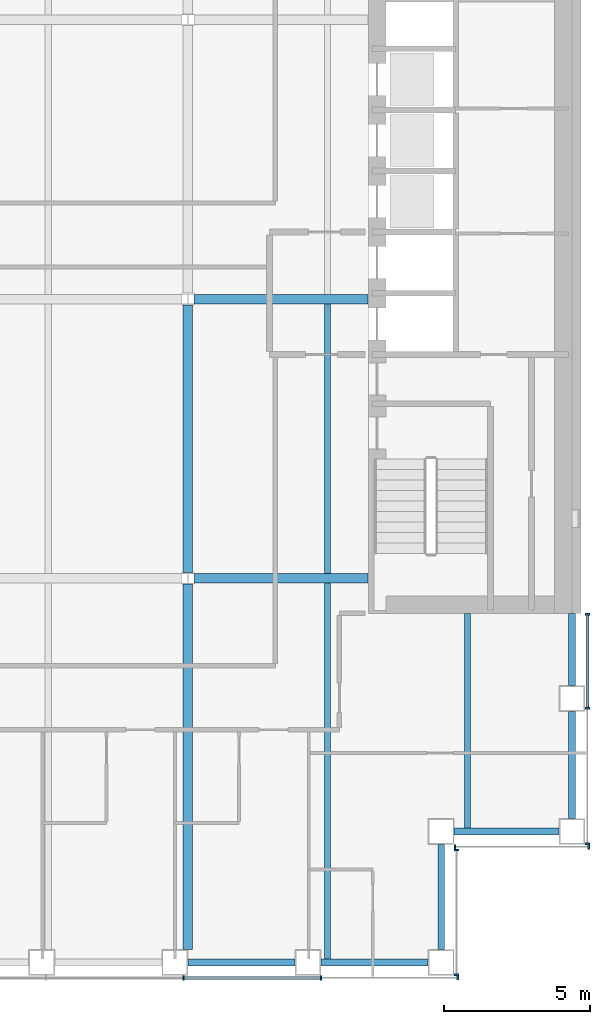
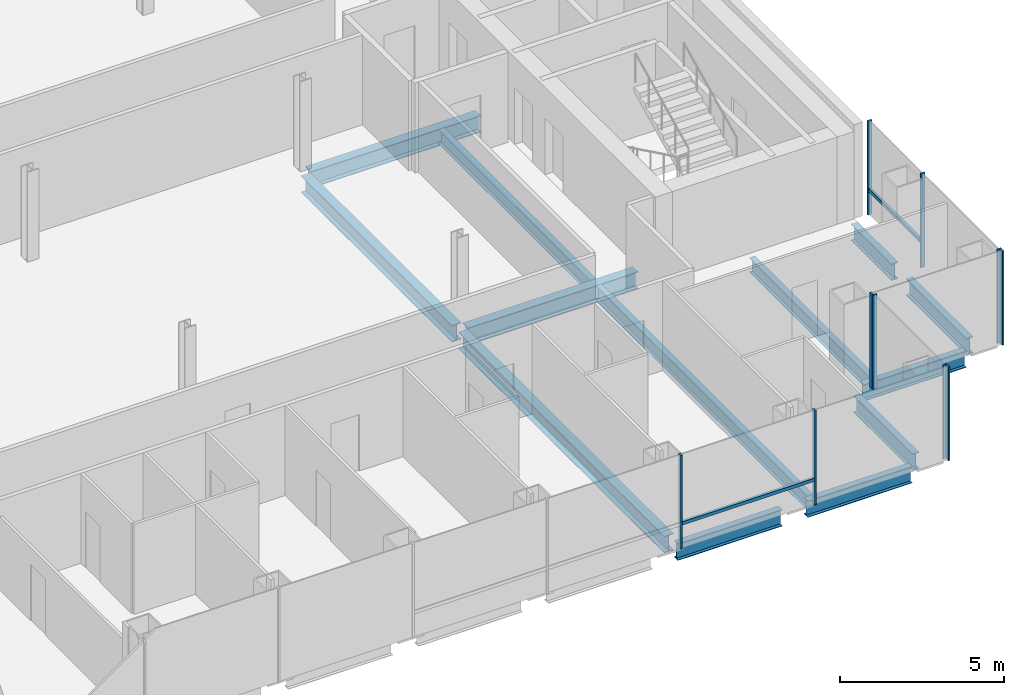
# One storey, part 4 of 15: 13 beams, 12 members, 4 elements without a shape of their own.
"""IFC4 building model written with IfcOpenShell, lengths in metres."""

from ifc_helpers import new_model, si_unit, direction, frame, origin, origin_2d, place, context, subcontext, project, spatial, rectangle, i_section, extrude, material, material_profile, profile_set, type_object, element, aggregate, save


model = new_model("IFC4")

# Units and contexts
model_context = context("Model", 3, precision=1e-05, world=origin(), true_north=direction((0.0, 1.0)))
body_context = subcontext(model_context, "Body", "Model", "MODEL_VIEW")
ifc_project = project(units=[si_unit("LENGTHUNIT", "METRE"), si_unit("AREAUNIT", "SQUARE_METRE"), si_unit("VOLUMEUNIT", "CUBIC_METRE"), si_unit("PLANEANGLEUNIT", "RADIAN"), si_unit("MASSUNIT", "GRAM", prefix="KILO")], contexts=[model_context])

# Site, building, storey
site_placement = place(None, origin())
site = spatial("IfcSite", under=ifc_project, at=site_placement, CompositionType="ELEMENT")
building_placement = place(site_placement, origin())
building = spatial("IfcBuilding", under=site, at=building_placement, Name="Cobrizo Arcos Hotel Tower", CompositionType="ELEMENT")
storey_placement = place(building_placement, frame((0.0, 0.0, 99.5)))
storey = spatial("IfcBuildingStorey", under=building, at=storey_placement, Name="L24", CompositionType="ELEMENT", Elevation=99.5)

# Curtain wall, members
ifc_material_1 = material(Name="Aluminium 6063-T6 anodised bronze", Category="aluminium")
curtain_wall_type = type_object("IfcCurtainWallType", Name="CW-A guest facade", PredefinedType="NOTDEFINED", material=ifc_material_1)
curtain_wall_1_placement = place(storey_placement, origin())
curtain_wall_1 = element("IfcCurtainWall", 1, at=curtain_wall_1_placement, inside=storey, type_object=curtain_wall_type, Name="CW-A L24 S face", PredefinedType="NOTDEFINED")
ifc_material_profile_1 = material_profile(ifc_material_1, rectangle(XDim=0.14990234375, YDim=0.06005859375, at=origin_2d()), Name="CW-A mullion 150x60")
ifc_profile_set_1 = profile_set([ifc_material_profile_1], Name="Aluminium 6063-T6 anodised bronze")
member_type_1 = type_object("IfcMemberType", Name="CW-A mullion 150x60", PredefinedType="MULLION", material=ifc_profile_set_1)
member_1_placement = place(storey_placement, frame((9.449951171875, -23.324951171875, 0.0), z_axis=(0.0, 0.0, 1.0), x_axis=(0.0, -1.0, 0.0)))
member_1 = element("IfcMember", 2, at=member_1_placement, type_object=member_type_1, Name="CW-A mullion 7", PredefinedType="MULLION", context=body_context, shape_type="SweptSolid", body=[
    extrude(rectangle(XDim=0.14990234375, YDim=0.06005859375, at=origin_2d()), origin(), (0.0, 0.0, 1.0), 3.5),
])
member_2_placement = place(storey_placement, frame((14.175048828125, -23.324951171875, 0.0), z_axis=(0.0, 0.0, 1.0), x_axis=(0.0, -1.0, 0.0)))
member_2 = element("IfcMember", 3, at=member_2_placement, type_object=member_type_1, Name="CW-A mullion 8", PredefinedType="MULLION", context=body_context, shape_type="SweptSolid", body=[
    extrude(rectangle(XDim=0.14990234375, YDim=0.06005859375, at=origin_2d()), origin(), (0.0, 0.0, 1.0), 3.5),
])
member_3_placement = place(storey_placement, frame((18.8701171875, -23.324951171875, 0.0), z_axis=(0.0, 0.0, 1.0), x_axis=(0.0, -1.0, 0.0)))
member_3 = element("IfcMember", 4, at=member_3_placement, type_object=member_type_1, Name="CW-A mullion 9", PredefinedType="MULLION", context=body_context, shape_type="SweptSolid", body=[
    extrude(rectangle(XDim=0.14990234375, YDim=0.06005859375, at=origin_2d()), origin(), (0.0, 0.0, 1.0), 3.5),
])

curtain_wall_2_placement = place(storey_placement, origin())
curtain_wall_2 = element("IfcCurtainWall", 5, at=curtain_wall_2_placement, inside=storey, type_object=curtain_wall_type, Name="CW-A L24 E face", PredefinedType="NOTDEFINED")
member_4_placement = place(storey_placement, frame((18.824951171875, -23.219970703125, 0.0), z_axis=(0.0, 0.0, 1.0), x_axis=(1.0, 0.0, 0.0)))
member_4 = element("IfcMember", 6, at=member_4_placement, type_object=member_type_1, Name="CW-A mullion 1", PredefinedType="MULLION", context=body_context, shape_type="SweptSolid", body=[
    extrude(rectangle(XDim=0.14990234375, YDim=0.06005859375, at=origin_2d()), origin(), (0.0, 0.0, 1.0), 3.5),
])
member_5_placement = place(storey_placement, frame((18.824951171875, -18.929931640625, 0.0), z_axis=(0.0, 0.0, 1.0), x_axis=(1.0, 0.0, 0.0)))
member_5 = element("IfcMember", 7, at=member_5_placement, type_object=member_type_1, Name="CW-A mullion 2", PredefinedType="MULLION", context=body_context, shape_type="SweptSolid", body=[
    extrude(rectangle(XDim=0.14990234375, YDim=0.06005859375, at=origin_2d()), origin(), (0.0, 0.0, 1.0), 3.5),
])
aggregate(curtain_wall_2, [member_4, member_5])

curtain_wall_3_placement = place(storey_placement, origin())
curtain_wall_3 = element("IfcCurtainWall", 8, at=curtain_wall_3_placement, inside=storey, type_object=curtain_wall_type, Name="CW-A L24 S face", PredefinedType="NOTDEFINED")
member_6_placement = place(storey_placement, frame((18.780029296875, -18.824951171875, 0.0), z_axis=(0.0, 0.0, 1.0), x_axis=(0.0, -1.0, 0.0)))
member_6 = element("IfcMember", 9, at=member_6_placement, type_object=member_type_1, Name="CW-A mullion 1", PredefinedType="MULLION", context=body_context, shape_type="SweptSolid", body=[
    extrude(rectangle(XDim=0.14990234375, YDim=0.06005859375, at=origin_2d()), origin(), (0.0, 0.0, 1.0), 3.5),
])
member_7_placement = place(storey_placement, frame((23.3701171875, -18.824951171875, 0.0), z_axis=(0.0, 0.0, 1.0), x_axis=(0.0, -1.0, 0.0)))
member_7 = element("IfcMember", 10, at=member_7_placement, type_object=member_type_1, Name="CW-A mullion 2", PredefinedType="MULLION", context=body_context, shape_type="SweptSolid", body=[
    extrude(rectangle(XDim=0.14990234375, YDim=0.06005859375, at=origin_2d()), origin(), (0.0, 0.0, 1.0), 3.5),
])
aggregate(curtain_wall_3, [member_6, member_7])

curtain_wall_4_placement = place(storey_placement, origin())
curtain_wall_4 = element("IfcCurtainWall", 11, at=curtain_wall_4_placement, inside=storey, type_object=curtain_wall_type, Name="CW-A L24 E face", PredefinedType="NOTDEFINED")
member_8_placement = place(storey_placement, frame((23.324951171875, -18.719970703125, 0.0), z_axis=(0.0, 0.0, 1.0), x_axis=(1.0, 0.0, 0.0)))
member_8 = element("IfcMember", 12, at=member_8_placement, type_object=member_type_1, Name="CW-A mullion 1", PredefinedType="MULLION", context=body_context, shape_type="SweptSolid", body=[
    extrude(rectangle(XDim=0.14990234375, YDim=0.06005859375, at=origin_2d()), origin(), (0.0, 0.0, 1.0), 3.5),
])
member_9_placement = place(storey_placement, frame((23.324951171875, -14.0625, 0.0), z_axis=(0.0, 0.0, 1.0), x_axis=(1.0, 0.0, 0.0)))
member_9 = element("IfcMember", 13, at=member_9_placement, type_object=member_type_1, Name="CW-A mullion 2", PredefinedType="MULLION", context=body_context, shape_type="SweptSolid", body=[
    extrude(rectangle(XDim=0.14990234375, YDim=0.06005859375, at=origin_2d()), origin(), (0.0, 0.0, 1.0), 3.5),
])
member_10_placement = place(storey_placement, frame((23.324951171875, -10.830078125, 0.0), z_axis=(0.0, 0.0, 1.0), x_axis=(1.0, 0.0, 0.0)))
member_10 = element("IfcMember", 14, at=member_10_placement, type_object=member_type_1, Name="CW-A mullion 3", PredefinedType="MULLION", context=body_context, shape_type="SweptSolid", body=[
    extrude(rectangle(XDim=0.14990234375, YDim=0.06005859375, at=origin_2d()), origin(), (0.0, 0.0, 1.0), 3.5),
])

# Member
ifc_material_profile_2 = material_profile(ifc_material_1, rectangle(XDim=0.10009765625, YDim=0.1201171875, at=origin_2d()), Name="CW-A transom 120x100")
ifc_profile_set_2 = profile_set([ifc_material_profile_2], Name="Aluminium 6063-T6 anodised bronze")
member_type_2 = type_object("IfcMemberType", Name="CW-A transom 120x100", PredefinedType="USERDEFINED", material=ifc_profile_set_2)
member_11_placement = place(storey_placement, frame((9.47998046875, -23.324951171875, 0.929931640625), z_axis=(1.0, 0.0, 0.0), x_axis=(0.0, 1.0, 0.0)))
member_11 = element("IfcMember", 15, at=member_11_placement, type_object=member_type_2, Name="CW-A transom 953", ObjectType="TRANSOM", PredefinedType="USERDEFINED", context=body_context, shape_type="SweptSolid", body=[
    extrude(rectangle(XDim=0.10009765625, YDim=0.1201171875, at=origin_2d()), origin(), (0.0, 0.0, 1.0), 4.6650390625),
])

aggregate(curtain_wall_1, [member_1, member_2, member_3, member_11])

member_12_placement = place(storey_placement, frame((23.324951171875, -14.032470703125, 0.929931640625), z_axis=(0.0, 1.0, 0.0), x_axis=(-1.0, 0.0, 0.0)))
member_12 = element("IfcMember", 16, at=member_12_placement, type_object=member_type_2, Name="CW-A transom 958", ObjectType="TRANSOM", PredefinedType="USERDEFINED", context=body_context, shape_type="SweptSolid", body=[
    extrude(rectangle(XDim=0.10009765625, YDim=0.1201171875, at=origin_2d()), origin(), (0.0, 0.0, 1.0), 3.17236328125),
])

aggregate(curtain_wall_4, [member_8, member_9, member_10, member_12])

# Beams
ifc_material_2 = material(Name="Steel ASTM A992 Grade 50", Category="steel")
ifc_material_profile_3 = material_profile(ifc_material_2, i_section(OverallWidth=0.209228515625, OverallDepth=0.533447265625, WebThickness=0.01025390625, FlangeThickness=0.015625, at=origin_2d()), Name="W21X62")
ifc_profile_set_3 = profile_set([ifc_material_profile_3], Name="Steel ASTM A992 Grade 50")
beam_type_1 = type_object("IfcBeamType", Name="W21X62 joist", PredefinedType="JOIST", material=ifc_profile_set_3)
beam_1_placement = place(storey_placement, frame((14.39990234375, -22.7099609375, -0.416748046875), z_axis=(0.0, 1.0, 0.0), x_axis=(-1.0, 0.0, 0.0)))
element("IfcBeam", 17, at=beam_1_placement, inside=storey, type_object=beam_type_1, Name="Floor joist J1, L24, no. 015", PredefinedType="JOIST", context=body_context, shape_type="SweptSolid", body=[
    extrude(i_section(OverallWidth=0.209228515625, OverallDepth=0.533447265625, WebThickness=0.01025390625, FlangeThickness=0.015625, at=origin_2d()), origin(), (0.0, 0.0, 1.0), 12.946044921875),
])
beam_2_placement = place(storey_placement, frame((14.39990234375, -9.43603515625, -0.416748046875), z_axis=(0.0, 1.0, 0.0), x_axis=(-1.0, 0.0, 0.0)))
element("IfcBeam", 18, at=beam_2_placement, inside=storey, type_object=beam_type_1, Name="Floor joist J1, L24, no. 016", PredefinedType="JOIST", context=body_context, shape_type="SweptSolid", body=[
    extrude(i_section(OverallWidth=0.209228515625, OverallDepth=0.533447265625, WebThickness=0.01025390625, FlangeThickness=0.015625, at=origin_2d()), origin(), (0.0, 0.0, 1.0), 9.272216796875),
])
beam_3_placement = place(storey_placement, frame((19.199951171875, -18.2099609375, -0.416748046875), z_axis=(0.0, 1.0, 0.0), x_axis=(-1.0, 0.0, 0.0)))
element("IfcBeam", 19, at=beam_3_placement, inside=storey, type_object=beam_type_1, Name="Floor joist J1, L24, no. 019", PredefinedType="JOIST", context=body_context, shape_type="SweptSolid", body=[
    extrude(i_section(OverallWidth=0.209228515625, OverallDepth=0.533447265625, WebThickness=0.01025390625, FlangeThickness=0.015625, at=origin_2d()), origin(), (0.0, 0.0, 1.0), 7.39990234375),
])
ifc_material_profile_4 = material_profile(ifc_material_2, i_section(OverallWidth=0.32763671875, OverallDepth=0.622314453125, WebThickness=0.015380859375, FlangeThickness=0.0244140625, at=origin_2d()), Name="W24X131")
ifc_profile_set_4 = profile_set([ifc_material_profile_4], Name="Steel ASTM A992 Grade 50")
beam_type_2 = type_object("IfcBeamType", Name="W24X131 girder", PredefinedType="BEAM", material=ifc_profile_set_4)
for number, where, z_axis, x_axis, name in (
    (20, (9.79931640625, -9.60009765625, -0.461181640625), (1.0, 0.0, 0.0), (0.0, 1.0, 0.0), "Floor girder G1, L24, no. 004"),
    (21, (9.79931640625, 0.0, -0.461181640625), (1.0, 0.0, 0.0), (0.0, 1.0, 0.0), "Floor girder G1, L24, no. 008"),
):
    element("IfcBeam", number, at=place(storey_placement, frame(where, z_axis=z_axis, x_axis=x_axis)), inside=storey, type_object=beam_type_2, Name=name, PredefinedType="BEAM", context=body_context, shape_type="SweptSolid", body=[
        extrude(i_section(OverallWidth=0.32763671875, OverallDepth=0.622314453125, WebThickness=0.015380859375, FlangeThickness=0.0244140625, at=origin_2d()), origin(), (0.0, 0.0, 1.0), 5.99072265625),
    ])
beam_4_placement = place(storey_placement, frame((9.60009765625, -22.35009765625, -0.461181640625), z_axis=(0.0, 1.0, 0.0), x_axis=(-1.0, 0.0, 0.0)))
element("IfcBeam", 22, at=beam_4_placement, inside=storey, type_object=beam_type_2, Name="Floor girder G1, L24, no. 021", PredefinedType="BEAM", context=body_context, shape_type="SweptSolid", body=[
    extrude(i_section(OverallWidth=0.32763671875, OverallDepth=0.622314453125, WebThickness=0.015380859375, FlangeThickness=0.0244140625, at=origin_2d()), origin(), (0.0, 0.0, 1.0), 12.55078125),
])
beam_5_placement = place(storey_placement, frame((9.60009765625, -9.400634765625, -0.461181640625), z_axis=(0.0, 1.0, 0.0), x_axis=(-1.0, 0.0, 0.0)))
element("IfcBeam", 23, at=beam_5_placement, inside=storey, type_object=beam_type_2, Name="Floor girder G1, L24, no. 022", PredefinedType="BEAM", context=body_context, shape_type="SweptSolid", body=[
    extrude(i_section(OverallWidth=0.32763671875, OverallDepth=0.622314453125, WebThickness=0.015380859375, FlangeThickness=0.0244140625, at=origin_2d()), origin(), (0.0, 0.0, 1.0), 9.201171875),
])
ifc_material_profile_5 = material_profile(ifc_material_2, i_section(OverallWidth=0.23046875, OverallDepth=0.6171875, WebThickness=0.01318359375, FlangeThickness=0.022216796875, at=origin_2d()), Name="W24X94")
ifc_profile_set_5 = profile_set([ifc_material_profile_5], Name="Steel ASTM A992 Grade 50")
beam_type_3 = type_object("IfcBeamType", Name="W24X94 spandrel", PredefinedType="SPANDREL", material=ifc_profile_set_5)
beam_6_placement = place(storey_placement, frame((9.60009765625, -22.800048828125, -0.45849609375), z_axis=(1.0, 0.0, 0.0), x_axis=(0.0, 1.0, 0.0)))
element("IfcBeam", 24, at=beam_6_placement, inside=storey, type_object=beam_type_3, Name="Spandrel beam W24X94, L24, no. 007", PredefinedType="SPANDREL", context=body_context, shape_type="SweptSolid", body=[
    extrude(i_section(OverallWidth=0.23046875, OverallDepth=0.6171875, WebThickness=0.01318359375, FlangeThickness=0.022216796875, at=origin_2d()), origin(), (0.0, 0.0, 1.0), 3.6748046875),
])
beam_7_placement = place(storey_placement, frame((14.175048828125, -22.800048828125, -0.45849609375), z_axis=(1.0, 0.0, 0.0), x_axis=(0.0, 1.0, 0.0)))
element("IfcBeam", 25, at=beam_7_placement, inside=storey, type_object=beam_type_3, Name="Spandrel beam W24X94, L24, no. 008", PredefinedType="SPANDREL", context=body_context, shape_type="SweptSolid", body=[
    extrude(i_section(OverallWidth=0.23046875, OverallDepth=0.6171875, WebThickness=0.01318359375, FlangeThickness=0.022216796875, at=origin_2d()), origin(), (0.0, 0.0, 1.0), 3.675048828125),
])
for number, where, z_axis, x_axis, name in (
    (26, (18.300048828125, -22.35009765625, -0.45849609375), (0.0, 1.0, 0.0), (-1.0, 0.0, 0.0), "Spandrel beam W24X94, L24, no. 009"),
    (27, (18.75, -18.300048828125, -0.45849609375), (1.0, 0.0, 0.0), (0.0, 1.0, 0.0), "Spandrel beam W24X94, L24, no. 010"),
):
    element("IfcBeam", number, at=place(storey_placement, frame(where, z_axis=z_axis, x_axis=x_axis)), inside=storey, type_object=beam_type_3, Name=name, PredefinedType="SPANDREL", context=body_context, shape_type="SweptSolid", body=[
        extrude(i_section(OverallWidth=0.23046875, OverallDepth=0.6171875, WebThickness=0.01318359375, FlangeThickness=0.022216796875, at=origin_2d()), origin(), (0.0, 0.0, 1.0), 3.60009765625),
    ])
beam_8_placement = place(storey_placement, frame((22.800048828125, -17.85009765625, -0.45849609375), z_axis=(0.0, 1.0, 0.0), x_axis=(-1.0, 0.0, 0.0)))
element("IfcBeam", 28, at=beam_8_placement, inside=storey, type_object=beam_type_3, Name="Spandrel beam W24X94, L24, no. 011", PredefinedType="SPANDREL", context=body_context, shape_type="SweptSolid", body=[
    extrude(i_section(OverallWidth=0.23046875, OverallDepth=0.6171875, WebThickness=0.01318359375, FlangeThickness=0.022216796875, at=origin_2d()), origin(), (0.0, 0.0, 1.0), 3.675048828125),
])
beam_9_placement = place(storey_placement, frame((22.800048828125, -13.27490234375, -0.45849609375), z_axis=(0.0, 1.0, 0.0), x_axis=(-1.0, 0.0, 0.0)))
element("IfcBeam", 29, at=beam_9_placement, inside=storey, type_object=beam_type_3, Name="Spandrel beam W24X94, L24, no. 012", PredefinedType="SPANDREL", context=body_context, shape_type="SweptSolid", body=[
    extrude(i_section(OverallWidth=0.23046875, OverallDepth=0.6171875, WebThickness=0.01318359375, FlangeThickness=0.022216796875, at=origin_2d()), origin(), (0.0, 0.0, 1.0), 2.46484375),
])

save(model, "model.ifc")
